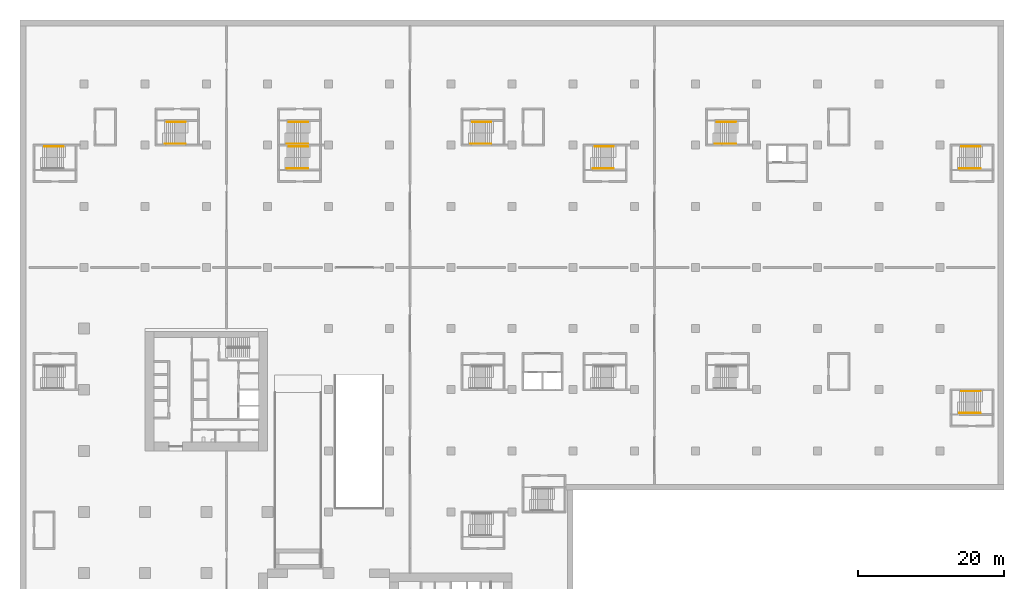
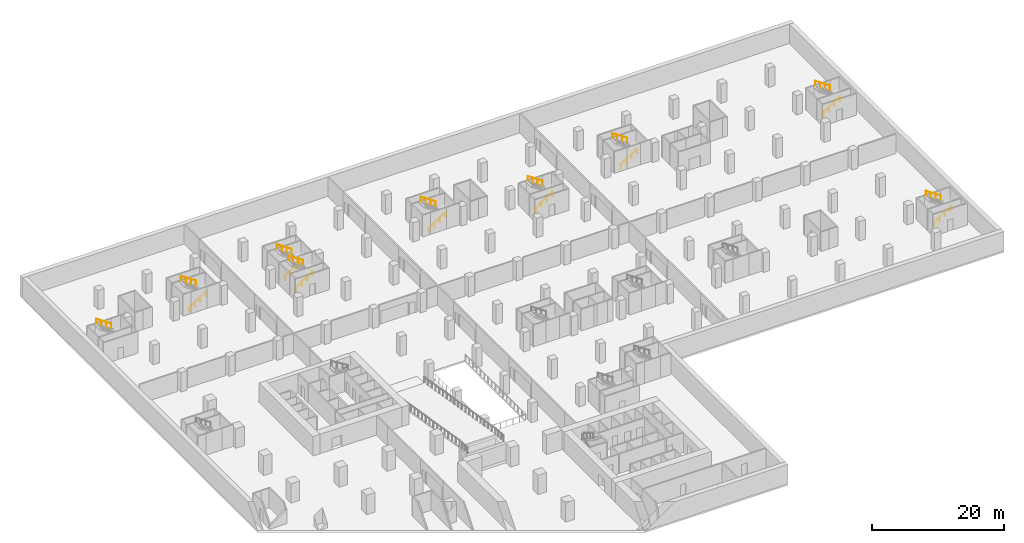
# One storey, part 17 of 18: 17 railings.
"""IFC4 building model written with IfcOpenShell, lengths in metres."""

from ifc_helpers import new_model, si_unit, direction, frame, origin, origin_2d, place, context, subcontext, project, spatial, circle, extrude, material, type_object, element, save


model = new_model("IFC4")

# Units and contexts
model_context = context("Model", 3, precision=1e-05, world=origin(), true_north=direction((0.0, 1.0)))
body_context = subcontext(model_context, "Body", "Model", "MODEL_VIEW")
ifc_project = project(units=[si_unit("LENGTHUNIT", "METRE"), si_unit("AREAUNIT", "SQUARE_METRE"), si_unit("VOLUMEUNIT", "CUBIC_METRE"), si_unit("PLANEANGLEUNIT", "RADIAN"), si_unit("MASSUNIT", "GRAM", prefix="KILO")], contexts=[model_context])

# Site, building, storey
site_placement = place(None, origin())
site = spatial("IfcSite", under=ifc_project, at=site_placement, CompositionType="ELEMENT")
building_placement = place(site_placement, origin())
building = spatial("IfcBuilding", under=site, at=building_placement, Name="Vermilion Gate Residences", CompositionType="ELEMENT")
storey_placement = place(building_placement, frame((0.0, 0.0, -4.0)))
storey = spatial("IfcBuildingStorey", under=building, at=storey_placement, Name="B1", CompositionType="ELEMENT", Elevation=-4.0)

# Railings
ifc_material = material(Name="Steel", Category="steel")
railing_type = type_object("IfcRailingType", Name="STAIR HANDRAIL 900 (AMENITY)", PredefinedType="HANDRAIL", material=ifc_material)
railing_1_placement = place(storey_placement, frame((120.300048828125, 47.199951171875, 0.173828125)))
element("IfcRailing", 1, at=railing_1_placement, inside=storey, type_object=railing_type, Name="Stair handrail", PredefinedType="HANDRAIL", context=body_context, shape_type="SweptSolid", body=[
    extrude(circle(Radius=0.02392578125, at=origin_2d()), frame((0.0, 0.0, 0.8759765625), z_axis=(0.831175961304, 0.0, 0.556009461565), x_axis=(0.0, 1.0, 0.0)), (0.0, 0.0, 1.0), 3.440673828125),
    extrude(circle(Radius=0.02099609375, at=origin_2d()), origin(), (0.0, 0.0, 1.0), 0.851806640625),
    extrude(circle(Radius=0.02099609375, at=origin_2d()), frame((0.953369140625, 0.0, 0.6376953125)), (0.0, 0.0, 1.0), 0.851806640625),
    extrude(circle(Radius=0.02099609375, at=origin_2d()), frame((1.906494140625, 0.0, 1.275390625)), (0.0, 0.0, 1.0), 0.851806640625),
    extrude(circle(Radius=0.02099609375, at=origin_2d()), frame((2.85986328125, 0.0, 1.9130859375)), (0.0, 0.0, 1.0), 0.851806640625),
])
for number, where, name in (
    (2, (123.159912109375, 50.199951171875, 2.260986328125), "Stair handrail"),
    (3, (-2.840087890625, 83.800048828125, 2.260986328125), "Stair handrail"),
):
    element("IfcRailing", number, at=place(storey_placement, frame(where)), inside=storey, type_object=railing_type, Name=name, PredefinedType="HANDRAIL", context=body_context, shape_type="SweptSolid", body=[
        extrude(circle(Radius=0.02392578125, at=origin_2d()), frame((0.0, 0.0, 0.8759765625), z_axis=(-0.831196721983, 0.0, 0.555978425269), x_axis=(0.0, -1.0, 0.0)), (0.0, 0.0, 1.0), 3.1279296875),
        extrude(circle(Radius=0.02099609375, at=origin_2d()), origin(), (0.0, 0.0, 1.0), 0.851806640625),
        extrude(circle(Radius=0.02099609375, at=origin_2d()), frame((-0.86669921875, 0.0, 0.57958984375)), (0.0, 0.0, 1.0), 0.851806640625),
        extrude(circle(Radius=0.02099609375, at=origin_2d()), frame((-1.733154296875, 0.0, 1.159423828125)), (0.0, 0.0, 1.0), 0.851806640625),
        extrude(circle(Radius=0.02099609375, at=origin_2d()), frame((-2.599853515625, 0.0, 1.739013671875)), (0.0, 0.0, 1.0), 0.851806640625),
    ])
railing_2_placement = place(storey_placement, frame((11.10009765625, 84.199951171875, 0.173828125)))
element("IfcRailing", 4, at=railing_2_placement, inside=storey, type_object=railing_type, Name="Stair handrail", PredefinedType="HANDRAIL", context=body_context, shape_type="SweptSolid", body=[
    extrude(circle(Radius=0.02392578125, at=origin_2d()), frame((0.0, 0.0, 0.8759765625), z_axis=(0.831175961304, 0.0, 0.556009461565), x_axis=(0.0, 1.0, 0.0)), (0.0, 0.0, 1.0), 3.440673828125),
    extrude(circle(Radius=0.02099609375, at=origin_2d()), origin(), (0.0, 0.0, 1.0), 0.851806640625),
    extrude(circle(Radius=0.02099609375, at=origin_2d()), frame((0.953369140625, 0.0, 0.6376953125)), (0.0, 0.0, 1.0), 0.851806640625),
    extrude(circle(Radius=0.02099609375, at=origin_2d()), frame((1.906494140625, 0.0, 1.275390625)), (0.0, 0.0, 1.0), 0.851806640625),
    extrude(circle(Radius=0.02099609375, at=origin_2d()), frame((2.85986328125, 0.0, 1.9130859375)), (0.0, 0.0, 1.0), 0.851806640625),
])
railing_3_placement = place(storey_placement, frame((13.9599609375, 87.199951171875, 2.260986328125)))
element("IfcRailing", 5, at=railing_3_placement, inside=storey, type_object=railing_type, Name="Stair handrail", PredefinedType="HANDRAIL", context=body_context, shape_type="SweptSolid", body=[
    extrude(circle(Radius=0.02392578125, at=origin_2d()), frame((0.0, 0.0, 0.8759765625), z_axis=(-0.831196721983, 0.0, 0.555978425269), x_axis=(0.0, -1.0, 0.0)), (0.0, 0.0, 1.0), 3.1279296875),
    extrude(circle(Radius=0.02099609375, at=origin_2d()), origin(), (0.0, 0.0, 1.0), 0.851806640625),
    extrude(circle(Radius=0.02099609375, at=origin_2d()), frame((-0.86669921875, 0.0, 0.57958984375)), (0.0, 0.0, 1.0), 0.851806640625),
    extrude(circle(Radius=0.02099609375, at=origin_2d()), frame((-1.733154296875, 0.0, 1.159423828125)), (0.0, 0.0, 1.0), 0.851806640625),
    extrude(circle(Radius=0.02099609375, at=origin_2d()), frame((-2.599853515625, 0.0, 1.739013671875)), (0.0, 0.0, 1.0), 0.851806640625),
])
railing_4_placement = place(storey_placement, frame((27.89990234375, 84.199951171875, 0.173828125)))
element("IfcRailing", 6, at=railing_4_placement, inside=storey, type_object=railing_type, Name="Stair handrail", PredefinedType="HANDRAIL", context=body_context, shape_type="SweptSolid", body=[
    extrude(circle(Radius=0.02392578125, at=origin_2d()), frame((0.0, 0.0, 0.8759765625), z_axis=(0.831197895095, 0.0, 0.555976671444), x_axis=(0.0, 1.0, 0.0)), (0.0, 0.0, 1.0), 3.44091796875),
    extrude(circle(Radius=0.02099609375, at=origin_2d()), origin(), (0.0, 0.0, 1.0), 0.851806640625),
    extrude(circle(Radius=0.02099609375, at=origin_2d()), frame((0.953369140625, 0.0, 0.6376953125)), (0.0, 0.0, 1.0), 0.851806640625),
    extrude(circle(Radius=0.02099609375, at=origin_2d()), frame((1.90673828125, 0.0, 1.275390625)), (0.0, 0.0, 1.0), 0.851806640625),
    extrude(circle(Radius=0.02099609375, at=origin_2d()), frame((2.860107421875, 0.0, 1.9130859375)), (0.0, 0.0, 1.0), 0.851806640625),
])
railing_5_placement = place(storey_placement, frame((30.760009765625, 87.199951171875, 2.260986328125)))
element("IfcRailing", 7, at=railing_5_placement, inside=storey, type_object=railing_type, Name="Stair handrail", PredefinedType="HANDRAIL", context=body_context, shape_type="SweptSolid", body=[
    extrude(circle(Radius=0.02392578125, at=origin_2d()), frame((0.0, 0.0, 0.8759765625), z_axis=(-0.831220847055, 0.0, 0.555942356204), x_axis=(0.0, -1.0, 0.0)), (0.0, 0.0, 1.0), 3.1279296875),
    extrude(circle(Radius=0.02099609375, at=origin_2d()), origin(), (0.0, 0.0, 1.0), 0.851806640625),
    extrude(circle(Radius=0.02099609375, at=origin_2d()), frame((-0.86669921875, 0.0, 0.57958984375)), (0.0, 0.0, 1.0), 0.851806640625),
    extrude(circle(Radius=0.02099609375, at=origin_2d()), frame((-1.7333984375, 0.0, 1.159423828125)), (0.0, 0.0, 1.0), 0.851806640625),
    extrude(circle(Radius=0.02099609375, at=origin_2d()), frame((-2.60009765625, 0.0, 1.739013671875)), (0.0, 0.0, 1.0), 0.851806640625),
])
railing_6_placement = place(storey_placement, frame((27.89990234375, 80.800048828125, 0.173828125)))
element("IfcRailing", 8, at=railing_6_placement, inside=storey, type_object=railing_type, Name="Stair handrail", PredefinedType="HANDRAIL", context=body_context, shape_type="SweptSolid", body=[
    extrude(circle(Radius=0.02392578125, at=origin_2d()), frame((0.0, 0.0, 0.8759765625), z_axis=(0.831197895095, 0.0, 0.555976671444), x_axis=(0.0, 1.0, 0.0)), (0.0, 0.0, 1.0), 3.44091796875),
    extrude(circle(Radius=0.02099609375, at=origin_2d()), origin(), (0.0, 0.0, 1.0), 0.851806640625),
    extrude(circle(Radius=0.02099609375, at=origin_2d()), frame((0.953369140625, 0.0, 0.6376953125)), (0.0, 0.0, 1.0), 0.851806640625),
    extrude(circle(Radius=0.02099609375, at=origin_2d()), frame((1.90673828125, 0.0, 1.275390625)), (0.0, 0.0, 1.0), 0.851806640625),
    extrude(circle(Radius=0.02099609375, at=origin_2d()), frame((2.860107421875, 0.0, 1.9130859375)), (0.0, 0.0, 1.0), 0.851806640625),
])
railing_7_placement = place(storey_placement, frame((30.760009765625, 83.800048828125, 2.260986328125)))
element("IfcRailing", 9, at=railing_7_placement, inside=storey, type_object=railing_type, Name="Stair handrail", PredefinedType="HANDRAIL", context=body_context, shape_type="SweptSolid", body=[
    extrude(circle(Radius=0.02392578125, at=origin_2d()), frame((0.0, 0.0, 0.8759765625), z_axis=(-0.831220847055, 0.0, 0.555942356204), x_axis=(0.0, -1.0, 0.0)), (0.0, 0.0, 1.0), 3.1279296875),
    extrude(circle(Radius=0.02099609375, at=origin_2d()), origin(), (0.0, 0.0, 1.0), 0.851806640625),
    extrude(circle(Radius=0.02099609375, at=origin_2d()), frame((-0.86669921875, 0.0, 0.57958984375)), (0.0, 0.0, 1.0), 0.851806640625),
    extrude(circle(Radius=0.02099609375, at=origin_2d()), frame((-1.7333984375, 0.0, 1.159423828125)), (0.0, 0.0, 1.0), 0.851806640625),
    extrude(circle(Radius=0.02099609375, at=origin_2d()), frame((-2.60009765625, 0.0, 1.739013671875)), (0.0, 0.0, 1.0), 0.851806640625),
])
railing_8_placement = place(storey_placement, frame((69.89990234375, 80.800048828125, 0.173828125)))
element("IfcRailing", 10, at=railing_8_placement, inside=storey, type_object=railing_type, Name="Stair handrail", PredefinedType="HANDRAIL", context=body_context, shape_type="SweptSolid", body=[
    extrude(circle(Radius=0.02392578125, at=origin_2d()), frame((0.0, 0.0, 0.8759765625), z_axis=(0.831197895095, 0.0, 0.555976671444), x_axis=(0.0, 1.0, 0.0)), (0.0, 0.0, 1.0), 3.44091796875),
    extrude(circle(Radius=0.02099609375, at=origin_2d()), origin(), (0.0, 0.0, 1.0), 0.851806640625),
    extrude(circle(Radius=0.02099609375, at=origin_2d()), frame((0.953369140625, 0.0, 0.6376953125)), (0.0, 0.0, 1.0), 0.851806640625),
    extrude(circle(Radius=0.02099609375, at=origin_2d()), frame((1.90673828125, 0.0, 1.275390625)), (0.0, 0.0, 1.0), 0.851806640625),
    extrude(circle(Radius=0.02099609375, at=origin_2d()), frame((2.860107421875, 0.0, 1.9130859375)), (0.0, 0.0, 1.0), 0.851806640625),
])
railing_9_placement = place(storey_placement, frame((72.760009765625, 83.800048828125, 2.260986328125)))
element("IfcRailing", 11, at=railing_9_placement, inside=storey, type_object=railing_type, Name="Stair handrail", PredefinedType="HANDRAIL", context=body_context, shape_type="SweptSolid", body=[
    extrude(circle(Radius=0.02392578125, at=origin_2d()), frame((0.0, 0.0, 0.8759765625), z_axis=(-0.831220847055, 0.0, 0.555942356204), x_axis=(0.0, -1.0, 0.0)), (0.0, 0.0, 1.0), 3.1279296875),
    extrude(circle(Radius=0.02099609375, at=origin_2d()), origin(), (0.0, 0.0, 1.0), 0.851806640625),
    extrude(circle(Radius=0.02099609375, at=origin_2d()), frame((-0.86669921875, 0.0, 0.57958984375)), (0.0, 0.0, 1.0), 0.851806640625),
    extrude(circle(Radius=0.02099609375, at=origin_2d()), frame((-1.7333984375, 0.0, 1.159423828125)), (0.0, 0.0, 1.0), 0.851806640625),
    extrude(circle(Radius=0.02099609375, at=origin_2d()), frame((-2.60009765625, 0.0, 1.739013671875)), (0.0, 0.0, 1.0), 0.851806640625),
])
railing_10_placement = place(storey_placement, frame((53.10009765625, 84.199951171875, 0.173828125)))
element("IfcRailing", 12, at=railing_10_placement, inside=storey, type_object=railing_type, Name="Stair handrail", PredefinedType="HANDRAIL", context=body_context, shape_type="SweptSolid", body=[
    extrude(circle(Radius=0.02392578125, at=origin_2d()), frame((0.0, 0.0, 0.8759765625), z_axis=(0.831175961304, 0.0, 0.556009461565), x_axis=(0.0, 1.0, 0.0)), (0.0, 0.0, 1.0), 3.440673828125),
    extrude(circle(Radius=0.02099609375, at=origin_2d()), origin(), (0.0, 0.0, 1.0), 0.851806640625),
    extrude(circle(Radius=0.02099609375, at=origin_2d()), frame((0.953369140625, 0.0, 0.6376953125)), (0.0, 0.0, 1.0), 0.851806640625),
    extrude(circle(Radius=0.02099609375, at=origin_2d()), frame((1.906494140625, 0.0, 1.275390625)), (0.0, 0.0, 1.0), 0.851806640625),
    extrude(circle(Radius=0.02099609375, at=origin_2d()), frame((2.85986328125, 0.0, 1.9130859375)), (0.0, 0.0, 1.0), 0.851806640625),
])
railing_11_placement = place(storey_placement, frame((55.9599609375, 87.199951171875, 2.260986328125)))
element("IfcRailing", 13, at=railing_11_placement, inside=storey, type_object=railing_type, Name="Stair handrail", PredefinedType="HANDRAIL", context=body_context, shape_type="SweptSolid", body=[
    extrude(circle(Radius=0.02392578125, at=origin_2d()), frame((0.0, 0.0, 0.8759765625), z_axis=(-0.831196721983, 0.0, 0.555978425269), x_axis=(0.0, -1.0, 0.0)), (0.0, 0.0, 1.0), 3.1279296875),
    extrude(circle(Radius=0.02099609375, at=origin_2d()), origin(), (0.0, 0.0, 1.0), 0.851806640625),
    extrude(circle(Radius=0.02099609375, at=origin_2d()), frame((-0.86669921875, 0.0, 0.57958984375)), (0.0, 0.0, 1.0), 0.851806640625),
    extrude(circle(Radius=0.02099609375, at=origin_2d()), frame((-1.733154296875, 0.0, 1.159423828125)), (0.0, 0.0, 1.0), 0.851806640625),
    extrude(circle(Radius=0.02099609375, at=origin_2d()), frame((-2.599853515625, 0.0, 1.739013671875)), (0.0, 0.0, 1.0), 0.851806640625),
])
railing_12_placement = place(storey_placement, frame((120.300048828125, 80.800048828125, 0.173828125)))
element("IfcRailing", 14, at=railing_12_placement, inside=storey, type_object=railing_type, Name="Stair handrail", PredefinedType="HANDRAIL", context=body_context, shape_type="SweptSolid", body=[
    extrude(circle(Radius=0.02392578125, at=origin_2d()), frame((0.0, 0.0, 0.8759765625), z_axis=(0.831175961304, 0.0, 0.556009461565), x_axis=(0.0, 1.0, 0.0)), (0.0, 0.0, 1.0), 3.440673828125),
    extrude(circle(Radius=0.02099609375, at=origin_2d()), origin(), (0.0, 0.0, 1.0), 0.851806640625),
    extrude(circle(Radius=0.02099609375, at=origin_2d()), frame((0.953369140625, 0.0, 0.6376953125)), (0.0, 0.0, 1.0), 0.851806640625),
    extrude(circle(Radius=0.02099609375, at=origin_2d()), frame((1.906494140625, 0.0, 1.275390625)), (0.0, 0.0, 1.0), 0.851806640625),
    extrude(circle(Radius=0.02099609375, at=origin_2d()), frame((2.85986328125, 0.0, 1.9130859375)), (0.0, 0.0, 1.0), 0.851806640625),
])
railing_13_placement = place(storey_placement, frame((123.159912109375, 83.800048828125, 2.260986328125)))
element("IfcRailing", 15, at=railing_13_placement, inside=storey, type_object=railing_type, Name="Stair handrail", PredefinedType="HANDRAIL", context=body_context, shape_type="SweptSolid", body=[
    extrude(circle(Radius=0.02392578125, at=origin_2d()), frame((0.0, 0.0, 0.8759765625), z_axis=(-0.831196721983, 0.0, 0.555978425269), x_axis=(0.0, -1.0, 0.0)), (0.0, 0.0, 1.0), 3.1279296875),
    extrude(circle(Radius=0.02099609375, at=origin_2d()), origin(), (0.0, 0.0, 1.0), 0.851806640625),
    extrude(circle(Radius=0.02099609375, at=origin_2d()), frame((-0.86669921875, 0.0, 0.57958984375)), (0.0, 0.0, 1.0), 0.851806640625),
    extrude(circle(Radius=0.02099609375, at=origin_2d()), frame((-1.733154296875, 0.0, 1.159423828125)), (0.0, 0.0, 1.0), 0.851806640625),
    extrude(circle(Radius=0.02099609375, at=origin_2d()), frame((-2.599853515625, 0.0, 1.739013671875)), (0.0, 0.0, 1.0), 0.851806640625),
])
railing_14_placement = place(storey_placement, frame((86.699951171875, 84.199951171875, 0.173828125)))
element("IfcRailing", 16, at=railing_14_placement, inside=storey, type_object=railing_type, Name="Stair handrail", PredefinedType="HANDRAIL", context=body_context, shape_type="SweptSolid", body=[
    extrude(circle(Radius=0.02392578125, at=origin_2d()), frame((0.0, 0.0, 0.8759765625), z_axis=(0.831197895095, 0.0, 0.555976671444), x_axis=(0.0, 1.0, 0.0)), (0.0, 0.0, 1.0), 3.44091796875),
    extrude(circle(Radius=0.02099609375, at=origin_2d()), origin(), (0.0, 0.0, 1.0), 0.851806640625),
    extrude(circle(Radius=0.02099609375, at=origin_2d()), frame((0.953369140625, 0.0, 0.6376953125)), (0.0, 0.0, 1.0), 0.851806640625),
    extrude(circle(Radius=0.02099609375, at=origin_2d()), frame((1.90673828125, 0.0, 1.275390625)), (0.0, 0.0, 1.0), 0.851806640625),
    extrude(circle(Radius=0.02099609375, at=origin_2d()), frame((2.860107421875, 0.0, 1.9130859375)), (0.0, 0.0, 1.0), 0.851806640625),
])
railing_15_placement = place(storey_placement, frame((89.56005859375, 87.199951171875, 2.260986328125)))
element("IfcRailing", 17, at=railing_15_placement, inside=storey, type_object=railing_type, Name="Stair handrail", PredefinedType="HANDRAIL", context=body_context, shape_type="SweptSolid", body=[
    extrude(circle(Radius=0.02392578125, at=origin_2d()), frame((0.0, 0.0, 0.8759765625), z_axis=(-0.831220847055, 0.0, 0.555942356204), x_axis=(0.0, -1.0, 0.0)), (0.0, 0.0, 1.0), 3.1279296875),
    extrude(circle(Radius=0.02099609375, at=origin_2d()), origin(), (0.0, 0.0, 1.0), 0.851806640625),
    extrude(circle(Radius=0.02099609375, at=origin_2d()), frame((-0.86669921875, 0.0, 0.57958984375)), (0.0, 0.0, 1.0), 0.851806640625),
    extrude(circle(Radius=0.02099609375, at=origin_2d()), frame((-1.7333984375, 0.0, 1.159423828125)), (0.0, 0.0, 1.0), 0.851806640625),
    extrude(circle(Radius=0.02099609375, at=origin_2d()), frame((-2.60009765625, 0.0, 1.739013671875)), (0.0, 0.0, 1.0), 0.851806640625),
])

save(model, "model.ifc")
